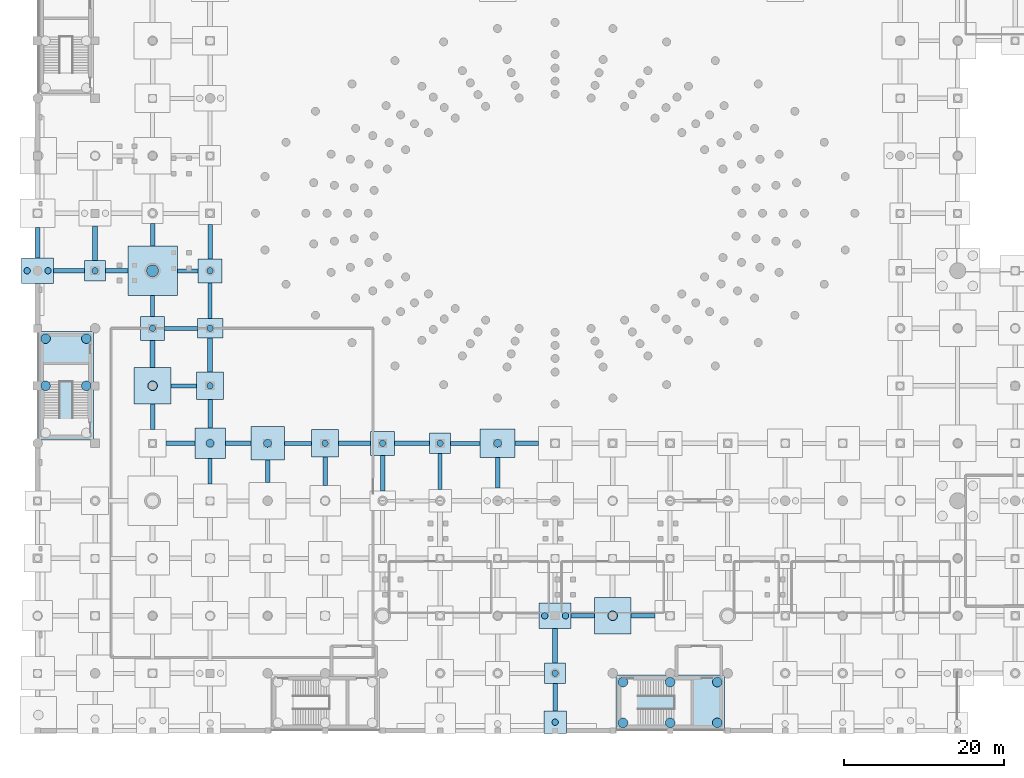
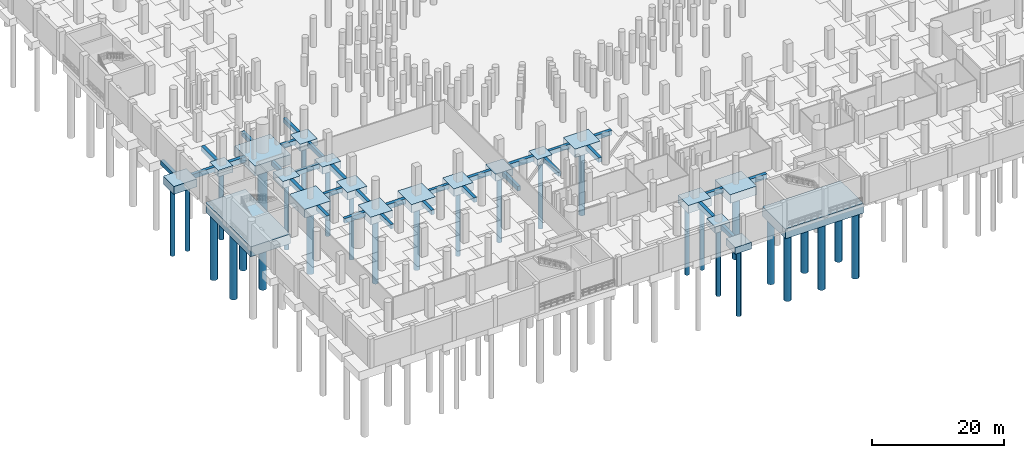
# One storey, part 3 of 37: 52 footings, 30 piles.
"""IFC4 building model written with IfcOpenShell, lengths in metres."""

from ifc_helpers import new_model, si_unit, direction, frame, origin, origin_2d, place, context, subcontext, project, spatial, rectangle, circle, extrude, material, material_profile, profile_set, type_object, element, save


model = new_model("IFC4")

# Units and contexts
model_context = context("Model", 3, precision=1e-05, world=origin(), true_north=direction((0.0, 1.0)))
body_context = subcontext(model_context, "Body", "Model", "MODEL_VIEW")
ifc_project = project(units=[si_unit("LENGTHUNIT", "METRE"), si_unit("AREAUNIT", "SQUARE_METRE"), si_unit("VOLUMEUNIT", "CUBIC_METRE"), si_unit("PLANEANGLEUNIT", "RADIAN"), si_unit("MASSUNIT", "GRAM", prefix="KILO")], contexts=[model_context])

# Site, building, storey
site_placement = place(None, origin())
site = spatial("IfcSite", under=ifc_project, at=site_placement, CompositionType="ELEMENT")
building_placement = place(site_placement, origin())
building = spatial("IfcBuilding", under=site, at=building_placement, Name="Qandorah Velis Arena", CompositionType="ELEMENT")
storey_placement = place(building_placement, frame((0.0, 0.0, -5.39990234375)))
storey = spatial("IfcBuildingStorey", under=building, at=storey_placement, Name="B1", CompositionType="ELEMENT", Elevation=-5.39990234375)

# Footings
ifc_material = material(Name="Concrete C40/50", Category="concrete")
footing_type_1 = type_object("IfcFootingType", Name="STR-CAP-PC1", PredefinedType="PILE_CAP", material=ifc_material)
footing_1_placement = place(storey_placement, frame((14.39990234375, 57.60009765625, -1.80029296875), z_axis=(0.0, 0.0, 1.0), x_axis=(1.0, 0.0, 0.0)))
element("IfcFooting", 1, at=footing_1_placement, inside=storey, type_object=footing_type_1, Name="Pile cap CAP-B1-046", PredefinedType="PILE_CAP", context=body_context, shape_type="SweptSolid", body=[
    extrude(rectangle(XDim=6.199951171875, YDim=6.199951171875, at=origin_2d()), origin(), (0.0, 0.0, 1.0), 1.800048828125),
])
footing_type_2 = type_object("IfcFootingType", Name="STR-CAP-PC10", PredefinedType="PILE_CAP", material=ifc_material)
for number, where, z_axis, x_axis, name in (
    (2, (7.199951171875, 57.60009765625, -1.2001953125), (0.0, 0.0, 1.0), (1.0, 0.0, 0.0), "Pile cap CAP-B1-027"),
    (3, (50.39990234375, 36.0, -1.2001953125), (0.0, 0.0, 1.0), (1.0, 0.0, 0.0), "Pile cap CAP-B1-117"),
    (4, (64.800048828125, 7.199951171875, -1.2001953125), (0.0, 0.0, 1.0), (1.0, 0.0, 0.0), "Pile cap CAP-B1-137"),
):
    element("IfcFooting", number, at=place(storey_placement, frame(where, z_axis=z_axis, x_axis=x_axis)), inside=storey, type_object=footing_type_2, Name=name, PredefinedType="PILE_CAP", context=body_context, shape_type="SweptSolid", body=[
        extrude(rectangle(XDim=2.60009765625, YDim=2.60009765625, at=origin_2d()), origin(), (0.0, 0.0, 1.0), 1.199951171875),
    ])
footing_type_3 = type_object("IfcFootingType", Name="STR-CAP-PC11", PredefinedType="PILE_CAP", material=ifc_material)
footing_2_placement = place(storey_placement, frame((79.199951171875, 3.550048828125, -1.80029296875), z_axis=(0.0, 0.0, 1.0), x_axis=(1.0, 0.0, 0.0)))
element("IfcFooting", 5, at=footing_2_placement, inside=storey, type_object=footing_type_3, Name="Pile cap CAP-CORE-CORE-02", PredefinedType="PILE_CAP", context=body_context, shape_type="SweptSolid", body=[
    extrude(rectangle(XDim=13.60009765625, YDim=6.89990234375, at=origin_2d()), origin(), (0.0, 0.0, 1.0), 1.800048828125),
])
footing_type_4 = type_object("IfcFootingType", Name="STR-CAP-PC12", PredefinedType="PILE_CAP", material=ifc_material)
footing_3_placement = place(storey_placement, frame((3.550048828125, 43.199951171875, -1.80029296875), z_axis=(0.0, 0.0, 1.0), x_axis=(1.0, 0.0, 0.0)))
element("IfcFooting", 6, at=footing_3_placement, inside=storey, type_object=footing_type_4, Name="Pile cap CAP-CORE-CORE-05", PredefinedType="PILE_CAP", context=body_context, shape_type="SweptSolid", body=[
    extrude(rectangle(XDim=6.89990234375, YDim=13.60009765625, at=origin_2d()), origin(), (0.0, 0.0, 1.0), 1.800048828125),
])
footing_type_5 = type_object("IfcFootingType", Name="STR-CAP-PC14", PredefinedType="PILE_CAP", material=ifc_material)
for number, where, z_axis, x_axis, name in (
    (7, (0.0, 57.60009765625, -1.4501953125), (0.0, 0.0, 1.0), (1.0, 0.0, 0.0), "Pile cap CAP-B1-008"),
    (8, (64.800048828125, 14.39990234375, -1.4501953125), (0.0, 0.0, 1.0), (1.0, 0.0, 0.0), "Pile cap CAP-B1-138"),
):
    element("IfcFooting", number, at=place(storey_placement, frame(where, z_axis=z_axis, x_axis=x_axis)), inside=storey, type_object=footing_type_5, Name=name, PredefinedType="PILE_CAP", context=body_context, shape_type="SweptSolid", body=[
        extrude(rectangle(XDim=4.0, YDim=3.199951171875, at=origin_2d()), origin(), (0.0, 0.0, 1.0), 1.449951171875),
    ])
footing_type_6 = type_object("IfcFootingType", Name="STR-CAP-PC15", PredefinedType="PILE_CAP", material=ifc_material)
footing_4_placement = place(storey_placement, frame((57.60009765625, 36.0, -1.55029296875), z_axis=(0.0, 0.0, 1.0), x_axis=(1.0, 0.0, 0.0)))
element("IfcFooting", 9, at=footing_4_placement, inside=storey, type_object=footing_type_6, Name="Pile cap CAP-B1-129", PredefinedType="PILE_CAP", context=body_context, shape_type="SweptSolid", body=[
    extrude(rectangle(XDim=4.39990234375, YDim=3.60009765625, at=origin_2d()), origin(), (0.0, 0.0, 1.0), 1.550048828125),
])
footing_type_7 = type_object("IfcFootingType", Name="STR-CAP-PC3", PredefinedType="PILE_CAP", material=ifc_material)
for number, where, z_axis, x_axis, name in (
    (10, (14.39990234375, 43.199951171875, -1.60009765625), (0.0, 0.0, 1.0), (1.0, 0.0, 0.0), "Pile cap CAP-B1-044"),
    (11, (72.0, 14.39990234375, -1.60009765625), (0.0, 0.0, 1.0), (1.0, 0.0, 0.0), "Pile cap CAP-B1-150"),
):
    element("IfcFooting", number, at=place(storey_placement, frame(where, z_axis=z_axis, x_axis=x_axis)), inside=storey, type_object=footing_type_7, Name=name, PredefinedType="PILE_CAP", context=body_context, shape_type="SweptSolid", body=[
        extrude(rectangle(XDim=4.60009765625, YDim=4.60009765625, at=origin_2d()), origin(), (0.0, 0.0, 1.0), 1.60009765625),
    ])
footing_type_8 = type_object("IfcFootingType", Name="STR-CAP-PC4", PredefinedType="PILE_CAP", material=ifc_material)
footing_5_placement = place(storey_placement, frame((28.800048828125, 36.0, -1.5), z_axis=(0.0, 0.0, 1.0), x_axis=(1.0, 0.0, 0.0)))
element("IfcFooting", 12, at=footing_5_placement, inside=storey, type_object=footing_type_8, Name="Pile cap CAP-B1-081", PredefinedType="PILE_CAP", context=body_context, shape_type="SweptSolid", body=[
    extrude(rectangle(XDim=4.199951171875, YDim=4.199951171875, at=origin_2d()), origin(), (0.0, 0.0, 1.0), 1.5),
])
footing_type_9 = type_object("IfcFootingType", Name="STR-CAP-PC5", PredefinedType="PILE_CAP", material=ifc_material)
footing_6_placement = place(storey_placement, frame((21.60009765625, 36.0, -1.400146484375), z_axis=(0.0, 0.0, 1.0), x_axis=(1.0, 0.0, 0.0)))
element("IfcFooting", 13, at=footing_6_placement, inside=storey, type_object=footing_type_9, Name="Pile cap CAP-B1-062", PredefinedType="PILE_CAP", context=body_context, shape_type="SweptSolid", body=[
    extrude(rectangle(XDim=3.800048828125, YDim=3.800048828125, at=origin_2d()), origin(), (0.0, 0.0, 1.0), 1.39990234375),
])
footing_type_10 = type_object("IfcFootingType", Name="STR-CAP-PC6", PredefinedType="PILE_CAP", material=ifc_material)
for number, where, z_axis, x_axis, name in (
    (14, (21.60009765625, 43.199951171875, -1.400146484375), (0.0, 0.0, 1.0), (1.0, 0.0, 0.0), "Pile cap CAP-B1-063"),
    (15, (36.0, 36.0, -1.400146484375), (0.0, 0.0, 1.0), (1.0, 0.0, 0.0), "Pile cap CAP-B1-093"),
):
    element("IfcFooting", number, at=place(storey_placement, frame(where, z_axis=z_axis, x_axis=x_axis)), inside=storey, type_object=footing_type_10, Name=name, PredefinedType="PILE_CAP", context=body_context, shape_type="SweptSolid", body=[
        extrude(rectangle(XDim=3.39990234375, YDim=3.39990234375, at=origin_2d()), origin(), (0.0, 0.0, 1.0), 1.39990234375),
    ])
footing_type_11 = type_object("IfcFootingType", Name="STR-CAP-PC7", PredefinedType="PILE_CAP", material=ifc_material)
footing_7_placement = place(storey_placement, frame((21.60009765625, 50.39990234375, -1.35009765625), z_axis=(0.0, 0.0, 1.0), x_axis=(1.0, 0.0, 0.0)))
element("IfcFooting", 16, at=footing_7_placement, inside=storey, type_object=footing_type_11, Name="Pile cap CAP-B1-064", PredefinedType="PILE_CAP", context=body_context, shape_type="SweptSolid", body=[
    extrude(rectangle(XDim=3.199951171875, YDim=2.39990234375, at=origin_2d()), origin(), (0.0, 0.0, 1.0), 1.35009765625),
])
footing_type_12 = type_object("IfcFootingType", Name="STR-CAP-PC8", PredefinedType="PILE_CAP", material=ifc_material)
for number, where, z_axis, x_axis, name in (
    (17, (14.39990234375, 50.39990234375, -1.30029296875), (0.0, 0.0, 1.0), (1.0, 0.0, 0.0), "Pile cap CAP-B1-045"),
    (18, (21.60009765625, 57.60009765625, -1.30029296875), (0.0, 0.0, 1.0), (1.0, 0.0, 0.0), "Pile cap CAP-B1-065"),
    (19, (43.199951171875, 36.0, -1.30029296875), (0.0, 0.0, 1.0), (1.0, 0.0, 0.0), "Pile cap CAP-B1-105"),
):
    element("IfcFooting", number, at=place(storey_placement, frame(where, z_axis=z_axis, x_axis=x_axis)), inside=storey, type_object=footing_type_12, Name=name, PredefinedType="PILE_CAP", context=body_context, shape_type="SweptSolid", body=[
        extrude(rectangle(XDim=3.0, YDim=3.0, at=origin_2d()), origin(), (0.0, 0.0, 1.0), 1.300048828125),
    ])
footing_type_13 = type_object("IfcFootingType", Name="STR-CAP-PC9", PredefinedType="PILE_CAP", material=ifc_material)
footing_8_placement = place(storey_placement, frame((64.800048828125, 1.080078125, -1.25), z_axis=(0.0, 0.0, 1.0), x_axis=(1.0, 0.0, 0.0)))
element("IfcFooting", 20, at=footing_8_placement, inside=storey, type_object=footing_type_13, Name="Pile cap CAP-B1-136", PredefinedType="PILE_CAP", context=body_context, shape_type="SweptSolid", body=[
    extrude(rectangle(XDim=2.800048828125, YDim=2.800048828125, at=origin_2d()), origin(), (0.0, 0.0, 1.0), 1.25),
])
ifc_material_profile_1 = material_profile(ifc_material, rectangle(XDim=0.60009765625, YDim=0.89990234375, at=origin_2d()), Name="GB1 600x900")
ifc_profile_set_1 = profile_set([ifc_material_profile_1], Name="Concrete C40/50")
footing_type_14 = type_object("IfcFootingType", Name="STR-GB-FB1", PredefinedType="FOOTING_BEAM", material=ifc_profile_set_1)
footing_9_placement = place(storey_placement, frame((7.199951171875, 58.89990234375, -0.4501953125), z_axis=(0.0, 1.0, 0.0), x_axis=(-1.0, 0.0, 0.0)))
element("IfcFooting", 21, at=footing_9_placement, inside=storey, type_object=footing_type_14, Name="Ground tie beam GB-015", PredefinedType="FOOTING_BEAM", context=body_context, shape_type="SweptSolid", body=[
    extrude(rectangle(XDim=0.60009765625, YDim=0.89990234375, at=origin_2d()), origin(), (0.0, 0.0, 1.0), 4.300048828125),
])
footing_10_placement = place(storey_placement, frame((14.39990234375, 45.5, -0.4501953125), z_axis=(0.0, 1.0, 0.0), x_axis=(-1.0, 0.0, 0.0)))
element("IfcFooting", 22, at=footing_10_placement, inside=storey, type_object=footing_type_14, Name="Ground tie beam GB-027", PredefinedType="FOOTING_BEAM", context=body_context, shape_type="SweptSolid", body=[
    extrude(rectangle(XDim=0.60009765625, YDim=0.89990234375, at=origin_2d()), origin(), (0.0, 0.0, 1.0), 3.39990234375),
])
for number, where, z_axis, x_axis, name in (
    (23, (21.60009765625, 44.89990234375, -0.4501953125), (0.0, 1.0, 0.0), (-1.0, 0.0, 0.0), "Ground tie beam GB-045"),
    (24, (64.800048828125, 8.5, -0.4501953125), (0.0, 1.0, 0.0), (-1.0, 0.0, 0.0), "Ground tie beam GB-096"),
):
    element("IfcFooting", number, at=place(storey_placement, frame(where, z_axis=z_axis, x_axis=x_axis)), inside=storey, type_object=footing_type_14, Name=name, PredefinedType="FOOTING_BEAM", context=body_context, shape_type="SweptSolid", body=[
        extrude(rectangle(XDim=0.60009765625, YDim=0.89990234375, at=origin_2d()), origin(), (0.0, 0.0, 1.0), 4.300048828125),
    ])
footing_11_placement = place(storey_placement, frame((74.300048828125, 14.39990234375, -0.4501953125), z_axis=(1.0, 0.0, 0.0), x_axis=(0.0, 1.0, 0.0)))
element("IfcFooting", 25, at=footing_11_placement, inside=storey, type_object=footing_type_14, Name="Ground tie beam GB-303", PredefinedType="FOOTING_BEAM", context=body_context, shape_type="SweptSolid", body=[
    extrude(rectangle(XDim=0.60009765625, YDim=0.89990234375, at=origin_2d()), origin(), (0.0, 0.0, 1.0), 3.0),
])
footing_12_placement = place(storey_placement, frame((23.5, 36.0, -0.4501953125), z_axis=(1.0, 0.0, 0.0), x_axis=(0.0, 1.0, 0.0)))
element("IfcFooting", 26, at=footing_12_placement, inside=storey, type_object=footing_type_14, Name="Ground tie beam GB-360", PredefinedType="FOOTING_BEAM", context=body_context, shape_type="SweptSolid", body=[
    extrude(rectangle(XDim=0.60009765625, YDim=0.89990234375, at=origin_2d()), origin(), (0.0, 0.0, 1.0), 3.199951171875),
])
footing_13_placement = place(storey_placement, frame((44.699951171875, 36.0, -0.4501953125), z_axis=(1.0, 0.0, 0.0), x_axis=(0.0, 1.0, 0.0)))
element("IfcFooting", 27, at=footing_13_placement, inside=storey, type_object=footing_type_14, Name="Ground tie beam GB-363", PredefinedType="FOOTING_BEAM", context=body_context, shape_type="SweptSolid", body=[
    extrude(rectangle(XDim=0.60009765625, YDim=0.89990234375, at=origin_2d()), origin(), (0.0, 0.0, 1.0), 4.400146484375),
])
footing_14_placement = place(storey_placement, frame((8.5, 57.60009765625, -0.4501953125), z_axis=(1.0, 0.0, 0.0), x_axis=(0.0, 1.0, 0.0)))
element("IfcFooting", 28, at=footing_14_placement, inside=storey, type_object=footing_type_14, Name="Ground tie beam GB-393", PredefinedType="FOOTING_BEAM", context=body_context, shape_type="SweptSolid", body=[
    extrude(rectangle(XDim=0.60009765625, YDim=0.89990234375, at=origin_2d()), origin(), (0.0, 0.0, 1.0), 2.800048828125),
])
ifc_material_profile_2 = material_profile(ifc_material, rectangle(XDim=0.5, YDim=0.800048828125, at=origin_2d()), Name="GB2 500x800")
ifc_profile_set_2 = profile_set([ifc_material_profile_2], Name="Concrete C40/50")
footing_type_15 = type_object("IfcFootingType", Name="STR-GB-FB2", PredefinedType="FOOTING_BEAM", material=ifc_profile_set_2)
footing_15_placement = place(storey_placement, frame((14.39990234375, 51.89990234375, -0.400146484375), z_axis=(0.0, 1.0, 0.0), x_axis=(-1.0, 0.0, 0.0)))
element("IfcFooting", 29, at=footing_15_placement, inside=storey, type_object=footing_type_15, Name="Ground tie beam GB-028", PredefinedType="FOOTING_BEAM", context=body_context, shape_type="SweptSolid", body=[
    extrude(rectangle(XDim=0.5, YDim=0.800048828125, at=origin_2d()), origin(), (0.0, 0.0, 1.0), 2.60009765625),
])
footing_16_placement = place(storey_placement, frame((21.60009765625, 30.89990234375, -0.400146484375), z_axis=(0.0, 1.0, 0.0), x_axis=(-1.0, 0.0, 0.0)))
element("IfcFooting", 30, at=footing_16_placement, inside=storey, type_object=footing_type_15, Name="Ground tie beam GB-043", PredefinedType="FOOTING_BEAM", context=body_context, shape_type="SweptSolid", body=[
    extrude(rectangle(XDim=0.5, YDim=0.800048828125, at=origin_2d()), origin(), (0.0, 0.0, 1.0), 3.2001953125),
])
for number, where, z_axis, x_axis, name in (
    (31, (21.60009765625, 51.60009765625, -0.400146484375), (0.0, 1.0, 0.0), (-1.0, 0.0, 0.0), "Ground tie beam GB-046"),
    (32, (50.39990234375, 30.199951171875, -0.400146484375), (0.0, 1.0, 0.0), (-1.0, 0.0, 0.0), "Ground tie beam GB-079"),
):
    element("IfcFooting", number, at=place(storey_placement, frame(where, z_axis=z_axis, x_axis=x_axis)), inside=storey, type_object=footing_type_15, Name=name, PredefinedType="FOOTING_BEAM", context=body_context, shape_type="SweptSolid", body=[
        extrude(rectangle(XDim=0.5, YDim=0.800048828125, at=origin_2d()), origin(), (0.0, 0.0, 1.0), 4.5),
    ])
footing_17_placement = place(storey_placement, frame((30.89990234375, 36.0, -0.400146484375), z_axis=(1.0, 0.0, 0.0), x_axis=(0.0, 1.0, 0.0)))
element("IfcFooting", 33, at=footing_17_placement, inside=storey, type_object=footing_type_15, Name="Ground tie beam GB-361", PredefinedType="FOOTING_BEAM", context=body_context, shape_type="SweptSolid", body=[
    extrude(rectangle(XDim=0.5, YDim=0.800048828125, at=origin_2d()), origin(), (0.0, 0.0, 1.0), 3.400146484375),
])
footing_18_placement = place(storey_placement, frame((51.699951171875, 36.0, -0.400146484375), z_axis=(1.0, 0.0, 0.0), x_axis=(0.0, 1.0, 0.0)))
element("IfcFooting", 34, at=footing_18_placement, inside=storey, type_object=footing_type_15, Name="Ground tie beam GB-364", PredefinedType="FOOTING_BEAM", context=body_context, shape_type="SweptSolid", body=[
    extrude(rectangle(XDim=0.5, YDim=0.800048828125, at=origin_2d()), origin(), (0.0, 0.0, 1.0), 3.699951171875),
])
footing_19_placement = place(storey_placement, frame((16.699951171875, 43.199951171875, -0.400146484375), z_axis=(1.0, 0.0, 0.0), x_axis=(0.0, 1.0, 0.0)))
element("IfcFooting", 35, at=footing_19_placement, inside=storey, type_object=footing_type_15, Name="Ground tie beam GB-379", PredefinedType="FOOTING_BEAM", context=body_context, shape_type="SweptSolid", body=[
    extrude(rectangle(XDim=0.5, YDim=0.800048828125, at=origin_2d()), origin(), (0.0, 0.0, 1.0), 3.199951171875),
])
footing_20_placement = place(storey_placement, frame((15.89990234375, 50.39990234375, -0.400146484375), z_axis=(1.0, 0.0, 0.0), x_axis=(0.0, 1.0, 0.0)))
element("IfcFooting", 36, at=footing_20_placement, inside=storey, type_object=footing_type_15, Name="Ground tie beam GB-385", PredefinedType="FOOTING_BEAM", context=body_context, shape_type="SweptSolid", body=[
    extrude(rectangle(XDim=0.5, YDim=0.800048828125, at=origin_2d()), origin(), (0.0, 0.0, 1.0), 4.10009765625),
])
footing_21_placement = place(storey_placement, frame((17.5, 57.60009765625, -0.400146484375), z_axis=(1.0, 0.0, 0.0), x_axis=(0.0, 1.0, 0.0)))
element("IfcFooting", 37, at=footing_21_placement, inside=storey, type_object=footing_type_15, Name="Ground tie beam GB-394", PredefinedType="FOOTING_BEAM", context=body_context, shape_type="SweptSolid", body=[
    extrude(rectangle(XDim=0.5, YDim=0.800048828125, at=origin_2d()), origin(), (0.0, 0.0, 1.0), 2.60009765625),
])
ifc_material_profile_3 = material_profile(ifc_material, rectangle(XDim=0.550048828125, YDim=0.85009765625, at=origin_2d()), Name="GB3 550x850")
ifc_profile_set_3 = profile_set([ifc_material_profile_3], Name="Concrete C40/50")
footing_type_16 = type_object("IfcFootingType", Name="STR-GB-FB3", PredefinedType="FOOTING_BEAM", material=ifc_profile_set_3)
footing_22_placement = place(storey_placement, frame((0.0, 59.199951171875, -0.425048828125), z_axis=(0.0, 1.0, 0.0), x_axis=(-1.0, 0.0, 0.0)))
element("IfcFooting", 38, at=footing_22_placement, inside=storey, type_object=footing_type_16, Name="Ground tie beam GB-005", PredefinedType="FOOTING_BEAM", context=body_context, shape_type="SweptSolid", body=[
    extrude(rectangle(XDim=0.550048828125, YDim=0.85009765625, at=origin_2d()), origin(), (0.0, 0.0, 1.0), 3.800048828125),
])
footing_23_placement = place(storey_placement, frame((14.39990234375, 37.699951171875, -0.425048828125), z_axis=(0.0, 1.0, 0.0), x_axis=(-1.0, 0.0, 0.0)))
element("IfcFooting", 39, at=footing_23_placement, inside=storey, type_object=footing_type_16, Name="Ground tie beam GB-026", PredefinedType="FOOTING_BEAM", context=body_context, shape_type="SweptSolid", body=[
    extrude(rectangle(XDim=0.550048828125, YDim=0.85009765625, at=origin_2d()), origin(), (0.0, 0.0, 1.0), 3.199951171875),
])
footing_24_placement = place(storey_placement, frame((14.39990234375, 60.699951171875, -0.425048828125), z_axis=(0.0, 1.0, 0.0), x_axis=(-1.0, 0.0, 0.0)))
element("IfcFooting", 40, at=footing_24_placement, inside=storey, type_object=footing_type_16, Name="Ground tie beam GB-029", PredefinedType="FOOTING_BEAM", context=body_context, shape_type="SweptSolid", body=[
    extrude(rectangle(XDim=0.550048828125, YDim=0.85009765625, at=origin_2d()), origin(), (0.0, 0.0, 1.0), 2.800048828125),
])
footing_25_placement = place(storey_placement, frame((21.60009765625, 37.89990234375, -0.425048828125), z_axis=(0.0, 1.0, 0.0), x_axis=(-1.0, 0.0, 0.0)))
element("IfcFooting", 41, at=footing_25_placement, inside=storey, type_object=footing_type_16, Name="Ground tie beam GB-044", PredefinedType="FOOTING_BEAM", context=body_context, shape_type="SweptSolid", body=[
    extrude(rectangle(XDim=0.550048828125, YDim=0.85009765625, at=origin_2d()), origin(), (0.0, 0.0, 1.0), 3.60009765625),
])
footing_26_placement = place(storey_placement, frame((21.60009765625, 59.10009765625, -0.425048828125), z_axis=(0.0, 1.0, 0.0), x_axis=(-1.0, 0.0, 0.0)))
element("IfcFooting", 42, at=footing_26_placement, inside=storey, type_object=footing_type_16, Name="Ground tie beam GB-047", PredefinedType="FOOTING_BEAM", context=body_context, shape_type="SweptSolid", body=[
    extrude(rectangle(XDim=0.550048828125, YDim=0.85009765625, at=origin_2d()), origin(), (0.0, 0.0, 1.0), 4.2998046875),
])
footing_27_placement = place(storey_placement, frame((28.800048828125, 31.10009765625, -0.425048828125), z_axis=(0.0, 1.0, 0.0), x_axis=(-1.0, 0.0, 0.0)))
element("IfcFooting", 43, at=footing_27_placement, inside=storey, type_object=footing_type_16, Name="Ground tie beam GB-059", PredefinedType="FOOTING_BEAM", context=body_context, shape_type="SweptSolid", body=[
    extrude(rectangle(XDim=0.550048828125, YDim=0.85009765625, at=origin_2d()), origin(), (0.0, 0.0, 1.0), 2.7998046875),
])
footing_28_placement = place(storey_placement, frame((36.0, 30.699951171875, -0.425048828125), z_axis=(0.0, 1.0, 0.0), x_axis=(-1.0, 0.0, 0.0)))
element("IfcFooting", 44, at=footing_28_placement, inside=storey, type_object=footing_type_16, Name="Ground tie beam GB-065", PredefinedType="FOOTING_BEAM", context=body_context, shape_type="SweptSolid", body=[
    extrude(rectangle(XDim=0.550048828125, YDim=0.85009765625, at=origin_2d()), origin(), (0.0, 0.0, 1.0), 3.60009765625),
])
footing_29_placement = place(storey_placement, frame((43.199951171875, 30.0, -0.425048828125), z_axis=(0.0, 1.0, 0.0), x_axis=(-1.0, 0.0, 0.0)))
element("IfcFooting", 45, at=footing_29_placement, inside=storey, type_object=footing_type_16, Name="Ground tie beam GB-071", PredefinedType="FOOTING_BEAM", context=body_context, shape_type="SweptSolid", body=[
    extrude(rectangle(XDim=0.550048828125, YDim=0.85009765625, at=origin_2d()), origin(), (0.0, 0.0, 1.0), 4.5),
])
footing_30_placement = place(storey_placement, frame((57.60009765625, 30.39990234375, -0.425048828125), z_axis=(0.0, 1.0, 0.0), x_axis=(-1.0, 0.0, 0.0)))
element("IfcFooting", 46, at=footing_30_placement, inside=storey, type_object=footing_type_16, Name="Ground tie beam GB-089", PredefinedType="FOOTING_BEAM", context=body_context, shape_type="SweptSolid", body=[
    extrude(rectangle(XDim=0.550048828125, YDim=0.85009765625, at=origin_2d()), origin(), (0.0, 0.0, 1.0), 3.800048828125),
])
footing_31_placement = place(storey_placement, frame((64.800048828125, 2.47998046875, -0.425048828125), z_axis=(0.0, 1.0, 0.0), x_axis=(-1.0, 0.0, 0.0)))
element("IfcFooting", 47, at=footing_31_placement, inside=storey, type_object=footing_type_16, Name="Ground tie beam GB-095", PredefinedType="FOOTING_BEAM", context=body_context, shape_type="SweptSolid", body=[
    extrude(rectangle(XDim=0.550048828125, YDim=0.85009765625, at=origin_2d()), origin(), (0.0, 0.0, 1.0), 3.419921875),
])
footing_32_placement = place(storey_placement, frame((66.800048828125, 14.39990234375, -0.425048828125), z_axis=(1.0, 0.0, 0.0), x_axis=(0.0, 1.0, 0.0)))
element("IfcFooting", 48, at=footing_32_placement, inside=storey, type_object=footing_type_16, Name="Ground tie beam GB-302", PredefinedType="FOOTING_BEAM", context=body_context, shape_type="SweptSolid", body=[
    extrude(rectangle(XDim=0.550048828125, YDim=0.85009765625, at=origin_2d()), origin(), (0.0, 0.0, 1.0), 2.89990234375),
])
footing_33_placement = place(storey_placement, frame((16.10009765625, 36.0, -0.425048828125), z_axis=(1.0, 0.0, 0.0), x_axis=(0.0, 1.0, 0.0)))
element("IfcFooting", 49, at=footing_33_placement, inside=storey, type_object=footing_type_16, Name="Ground tie beam GB-359", PredefinedType="FOOTING_BEAM", context=body_context, shape_type="SweptSolid", body=[
    extrude(rectangle(XDim=0.550048828125, YDim=0.85009765625, at=origin_2d()), origin(), (0.0, 0.0, 1.0), 3.599853515625),
])
footing_34_placement = place(storey_placement, frame((37.699951171875, 36.0, -0.425048828125), z_axis=(1.0, 0.0, 0.0), x_axis=(0.0, 1.0, 0.0)))
element("IfcFooting", 50, at=footing_34_placement, inside=storey, type_object=footing_type_16, Name="Ground tie beam GB-362", PredefinedType="FOOTING_BEAM", context=body_context, shape_type="SweptSolid", body=[
    extrude(rectangle(XDim=0.550048828125, YDim=0.85009765625, at=origin_2d()), origin(), (0.0, 0.0, 1.0), 4.0),
])
footing_35_placement = place(storey_placement, frame((59.800048828125, 36.0, -0.425048828125), z_axis=(1.0, 0.0, 0.0), x_axis=(0.0, 1.0, 0.0)))
element("IfcFooting", 51, at=footing_35_placement, inside=storey, type_object=footing_type_16, Name="Ground tie beam GB-365", PredefinedType="FOOTING_BEAM", context=body_context, shape_type="SweptSolid", body=[
    extrude(rectangle(XDim=0.550048828125, YDim=0.85009765625, at=origin_2d()), origin(), (0.0, 0.0, 1.0), 2.89990234375),
])
footing_36_placement = place(storey_placement, frame((2.0, 57.60009765625, -0.425048828125), z_axis=(1.0, 0.0, 0.0), x_axis=(0.0, 1.0, 0.0)))
element("IfcFooting", 52, at=footing_36_placement, inside=storey, type_object=footing_type_16, Name="Ground tie beam GB-392", PredefinedType="FOOTING_BEAM", context=body_context, shape_type="SweptSolid", body=[
    extrude(rectangle(XDim=0.550048828125, YDim=0.85009765625, at=origin_2d()), origin(), (0.0, 0.0, 1.0), 3.89990234375),
])

# Piles
ifc_material_profile_4 = material_profile(ifc_material, circle(Radius=0.5, at=origin_2d()), Name="BORED PILE D1000")
ifc_profile_set_4 = profile_set([ifc_material_profile_4], Name="Concrete C40/50")
pile_type_1 = type_object("IfcPileType", Name="STR-PILE-BP1000", PredefinedType="BORED", material=ifc_profile_set_4)
pile_1_placement = place(storey_placement, frame((21.60009765625, 36.0, -1.300048828125), z_axis=(0.0, 0.0, -1.0), x_axis=(1.0, 0.0, 0.0)))
element("IfcPile", 53, at=pile_1_placement, inside=storey, type_object=pile_type_1, Name="Bored pile PILE-CAP-B1-062-11", PredefinedType="BORED", context=body_context, shape_type="SweptSolid", body=[
    extrude(circle(Radius=0.5, at=origin_2d()), origin(), (0.0, 0.0, 1.0), 12.5),
])
pile_2_placement = place(storey_placement, frame((28.800048828125, 36.0, -1.400146484375), z_axis=(0.0, 0.0, -1.0), x_axis=(1.0, 0.0, 0.0)))
element("IfcPile", 54, at=pile_2_placement, inside=storey, type_object=pile_type_1, Name="Bored pile PILE-CAP-B1-081-11", PredefinedType="BORED", context=body_context, shape_type="SweptSolid", body=[
    extrude(circle(Radius=0.5, at=origin_2d()), origin(), (0.0, 0.0, 1.0), 12.39990234375),
])
pile_3_placement = place(storey_placement, frame((57.60009765625, 36.0, -1.4501953125), z_axis=(0.0, 0.0, -1.0), x_axis=(1.0, 0.0, 0.0)))
element("IfcPile", 55, at=pile_3_placement, inside=storey, type_object=pile_type_1, Name="Bored pile PILE-CAP-B1-129-11", PredefinedType="BORED", context=body_context, shape_type="SweptSolid", body=[
    extrude(circle(Radius=0.5, at=origin_2d()), origin(), (0.0, 0.0, 1.0), 12.35009765625),
])
ifc_material_profile_5 = material_profile(ifc_material, circle(Radius=0.60009765625, at=origin_2d()), Name="BORED PILE D1200")
ifc_profile_set_5 = profile_set([ifc_material_profile_5], Name="Concrete C40/50")
pile_type_2 = type_object("IfcPileType", Name="STR-PILE-BP1200", PredefinedType="BORED", material=ifc_profile_set_5)
for number, where, z_axis, x_axis, name in (
    (56, (73.300048828125, 1.0, -1.7001953125), (0.0, 0.0, -1.0), (1.0, 0.0, 0.0), "Bored pile PILE-CAP-CORE-CORE-02-11"),
    (57, (73.300048828125, 6.10009765625, -1.7001953125), (0.0, 0.0, -1.0), (1.0, 0.0, 0.0), "Bored pile PILE-CAP-CORE-CORE-02-12"),
    (58, (79.199951171875, 1.0, -1.7001953125), (0.0, 0.0, -1.0), (1.0, 0.0, 0.0), "Bored pile PILE-CAP-CORE-CORE-02-21"),
    (59, (79.199951171875, 6.10009765625, -1.7001953125), (0.0, 0.0, -1.0), (1.0, 0.0, 0.0), "Bored pile PILE-CAP-CORE-CORE-02-22"),
    (60, (85.10009765625, 1.0, -1.7001953125), (0.0, 0.0, -1.0), (1.0, 0.0, 0.0), "Bored pile PILE-CAP-CORE-CORE-02-31"),
    (61, (85.10009765625, 6.10009765625, -1.7001953125), (0.0, 0.0, -1.0), (1.0, 0.0, 0.0), "Bored pile PILE-CAP-CORE-CORE-02-32"),
    (62, (1.0, 43.199951171875, -1.7001953125), (0.0, 0.0, -1.0), (1.0, 0.0, 0.0), "Bored pile PILE-CAP-CORE-CORE-05-12"),
    (63, (1.0, 49.10009765625, -1.7001953125), (0.0, 0.0, -1.0), (1.0, 0.0, 0.0), "Bored pile PILE-CAP-CORE-CORE-05-13"),
    (64, (6.10009765625, 43.199951171875, -1.7001953125), (0.0, 0.0, -1.0), (1.0, 0.0, 0.0), "Bored pile PILE-CAP-CORE-CORE-05-22"),
    (65, (6.10009765625, 49.10009765625, -1.7001953125), (0.0, 0.0, -1.0), (1.0, 0.0, 0.0), "Bored pile PILE-CAP-CORE-CORE-05-23"),
):
    element("IfcPile", number, at=place(storey_placement, frame(where, z_axis=z_axis, x_axis=x_axis)), inside=storey, type_object=pile_type_2, Name=name, PredefinedType="BORED", context=body_context, shape_type="SweptSolid", body=[
        extrude(circle(Radius=0.60009765625, at=origin_2d()), origin(), (0.0, 0.0, 1.0), 12.10009765625),
    ])
for number, where, z_axis, x_axis, name in (
    (66, (14.39990234375, 43.199951171875, -1.5), (0.0, 0.0, -1.0), (1.0, 0.0, 0.0), "Bored pile PILE-CAP-B1-044-11"),
    (67, (72.0, 14.39990234375, -1.5), (0.0, 0.0, -1.0), (1.0, 0.0, 0.0), "Bored pile PILE-CAP-B1-150-11"),
):
    element("IfcPile", number, at=place(storey_placement, frame(where, z_axis=z_axis, x_axis=x_axis)), inside=storey, type_object=pile_type_2, Name=name, PredefinedType="BORED", context=body_context, shape_type="SweptSolid", body=[
        extrude(circle(Radius=0.60009765625, at=origin_2d()), origin(), (0.0, 0.0, 1.0), 12.300048828125),
    ])
ifc_material_profile_6 = material_profile(ifc_material, circle(Radius=0.75, at=origin_2d()), Name="BORED PILE D1500")
ifc_profile_set_6 = profile_set([ifc_material_profile_6], Name="Concrete C40/50")
pile_type_3 = type_object("IfcPileType", Name="STR-PILE-BP1500", PredefinedType="BORED", material=ifc_profile_set_6)
pile_4_placement = place(storey_placement, frame((14.39990234375, 57.60009765625, -1.7001953125), z_axis=(0.0, 0.0, -1.0), x_axis=(1.0, 0.0, 0.0)))
element("IfcPile", 68, at=pile_4_placement, inside=storey, type_object=pile_type_3, Name="Bored pile PILE-CAP-B1-046-11", PredefinedType="BORED", context=body_context, shape_type="SweptSolid", body=[
    extrude(circle(Radius=0.75, at=origin_2d()), origin(), (0.0, 0.0, 1.0), 12.10009765625),
])
ifc_material_profile_7 = material_profile(ifc_material, circle(Radius=0.39990234375, at=origin_2d()), Name="BORED PILE D800")
ifc_profile_set_7 = profile_set([ifc_material_profile_7], Name="Concrete C40/50")
pile_type_4 = type_object("IfcPileType", Name="STR-PILE-BP800", PredefinedType="BORED", material=ifc_profile_set_7)
for number, where, z_axis, x_axis, name in (
    (69, (-1.300048828125, 57.60009765625, -1.35009765625), (0.0, 0.0, -1.0), (1.0, 0.0, 0.0), "Bored pile PILE-CAP-B1-008-11"),
    (70, (1.300048828125, 57.60009765625, -1.35009765625), (0.0, 0.0, -1.0), (1.0, 0.0, 0.0), "Bored pile PILE-CAP-B1-008-21"),
):
    element("IfcPile", number, at=place(storey_placement, frame(where, z_axis=z_axis, x_axis=x_axis)), inside=storey, type_object=pile_type_4, Name=name, PredefinedType="BORED", context=body_context, shape_type="SweptSolid", body=[
        extrude(circle(Radius=0.39990234375, at=origin_2d()), origin(), (0.0, 0.0, 1.0), 12.449951171875),
    ])
pile_5_placement = place(storey_placement, frame((7.199951171875, 57.60009765625, -1.10009765625), z_axis=(0.0, 0.0, -1.0), x_axis=(1.0, 0.0, 0.0)))
element("IfcPile", 71, at=pile_5_placement, inside=storey, type_object=pile_type_4, Name="Bored pile PILE-CAP-B1-027-11", PredefinedType="BORED", context=body_context, shape_type="SweptSolid", body=[
    extrude(circle(Radius=0.39990234375, at=origin_2d()), origin(), (0.0, 0.0, 1.0), 12.699951171875),
])
pile_6_placement = place(storey_placement, frame((14.39990234375, 50.39990234375, -1.2001953125), z_axis=(0.0, 0.0, -1.0), x_axis=(1.0, 0.0, 0.0)))
element("IfcPile", 72, at=pile_6_placement, inside=storey, type_object=pile_type_4, Name="Bored pile PILE-CAP-B1-045-11", PredefinedType="BORED", context=body_context, shape_type="SweptSolid", body=[
    extrude(circle(Radius=0.39990234375, at=origin_2d()), origin(), (0.0, 0.0, 1.0), 12.60009765625),
])
pile_7_placement = place(storey_placement, frame((21.60009765625, 43.199951171875, -1.300048828125), z_axis=(0.0, 0.0, -1.0), x_axis=(1.0, 0.0, 0.0)))
element("IfcPile", 73, at=pile_7_placement, inside=storey, type_object=pile_type_4, Name="Bored pile PILE-CAP-B1-063-11", PredefinedType="BORED", context=body_context, shape_type="SweptSolid", body=[
    extrude(circle(Radius=0.39990234375, at=origin_2d()), origin(), (0.0, 0.0, 1.0), 12.5),
])
pile_8_placement = place(storey_placement, frame((21.60009765625, 50.39990234375, -1.25), z_axis=(0.0, 0.0, -1.0), x_axis=(1.0, 0.0, 0.0)))
element("IfcPile", 74, at=pile_8_placement, inside=storey, type_object=pile_type_4, Name="Bored pile PILE-CAP-B1-064-11", PredefinedType="BORED", context=body_context, shape_type="SweptSolid", body=[
    extrude(circle(Radius=0.39990234375, at=origin_2d()), origin(), (0.0, 0.0, 1.0), 12.550048828125),
])
pile_9_placement = place(storey_placement, frame((21.60009765625, 57.60009765625, -1.2001953125), z_axis=(0.0, 0.0, -1.0), x_axis=(1.0, 0.0, 0.0)))
element("IfcPile", 75, at=pile_9_placement, inside=storey, type_object=pile_type_4, Name="Bored pile PILE-CAP-B1-065-11", PredefinedType="BORED", context=body_context, shape_type="SweptSolid", body=[
    extrude(circle(Radius=0.39990234375, at=origin_2d()), origin(), (0.0, 0.0, 1.0), 12.60009765625),
])
pile_10_placement = place(storey_placement, frame((36.0, 36.0, -1.300048828125), z_axis=(0.0, 0.0, -1.0), x_axis=(1.0, 0.0, 0.0)))
element("IfcPile", 76, at=pile_10_placement, inside=storey, type_object=pile_type_4, Name="Bored pile PILE-CAP-B1-093-11", PredefinedType="BORED", context=body_context, shape_type="SweptSolid", body=[
    extrude(circle(Radius=0.39990234375, at=origin_2d()), origin(), (0.0, 0.0, 1.0), 12.5),
])
pile_11_placement = place(storey_placement, frame((43.199951171875, 36.0, -1.2001953125), z_axis=(0.0, 0.0, -1.0), x_axis=(1.0, 0.0, 0.0)))
element("IfcPile", 77, at=pile_11_placement, inside=storey, type_object=pile_type_4, Name="Bored pile PILE-CAP-B1-105-11", PredefinedType="BORED", context=body_context, shape_type="SweptSolid", body=[
    extrude(circle(Radius=0.39990234375, at=origin_2d()), origin(), (0.0, 0.0, 1.0), 12.60009765625),
])
pile_12_placement = place(storey_placement, frame((50.39990234375, 36.0, -1.10009765625), z_axis=(0.0, 0.0, -1.0), x_axis=(1.0, 0.0, 0.0)))
element("IfcPile", 78, at=pile_12_placement, inside=storey, type_object=pile_type_4, Name="Bored pile PILE-CAP-B1-117-11", PredefinedType="BORED", context=body_context, shape_type="SweptSolid", body=[
    extrude(circle(Radius=0.39990234375, at=origin_2d()), origin(), (0.0, 0.0, 1.0), 12.699951171875),
])
pile_13_placement = place(storey_placement, frame((64.800048828125, 1.080078125, -1.150146484375), z_axis=(0.0, 0.0, -1.0), x_axis=(1.0, 0.0, 0.0)))
element("IfcPile", 79, at=pile_13_placement, inside=storey, type_object=pile_type_4, Name="Bored pile PILE-CAP-B1-136-11", PredefinedType="BORED", context=body_context, shape_type="SweptSolid", body=[
    extrude(circle(Radius=0.39990234375, at=origin_2d()), origin(), (0.0, 0.0, 1.0), 12.64990234375),
])
pile_14_placement = place(storey_placement, frame((64.800048828125, 7.199951171875, -1.10009765625), z_axis=(0.0, 0.0, -1.0), x_axis=(1.0, 0.0, 0.0)))
element("IfcPile", 80, at=pile_14_placement, inside=storey, type_object=pile_type_4, Name="Bored pile PILE-CAP-B1-137-11", PredefinedType="BORED", context=body_context, shape_type="SweptSolid", body=[
    extrude(circle(Radius=0.39990234375, at=origin_2d()), origin(), (0.0, 0.0, 1.0), 12.699951171875),
])
for number, where, z_axis, x_axis, name in (
    (81, (63.5, 14.39990234375, -1.35009765625), (0.0, 0.0, -1.0), (1.0, 0.0, 0.0), "Bored pile PILE-CAP-B1-138-11"),
    (82, (66.10009765625, 14.39990234375, -1.35009765625), (0.0, 0.0, -1.0), (1.0, 0.0, 0.0), "Bored pile PILE-CAP-B1-138-21"),
):
    element("IfcPile", number, at=place(storey_placement, frame(where, z_axis=z_axis, x_axis=x_axis)), inside=storey, type_object=pile_type_4, Name=name, PredefinedType="BORED", context=body_context, shape_type="SweptSolid", body=[
        extrude(circle(Radius=0.39990234375, at=origin_2d()), origin(), (0.0, 0.0, 1.0), 12.449951171875),
    ])

save(model, "model.ifc")
